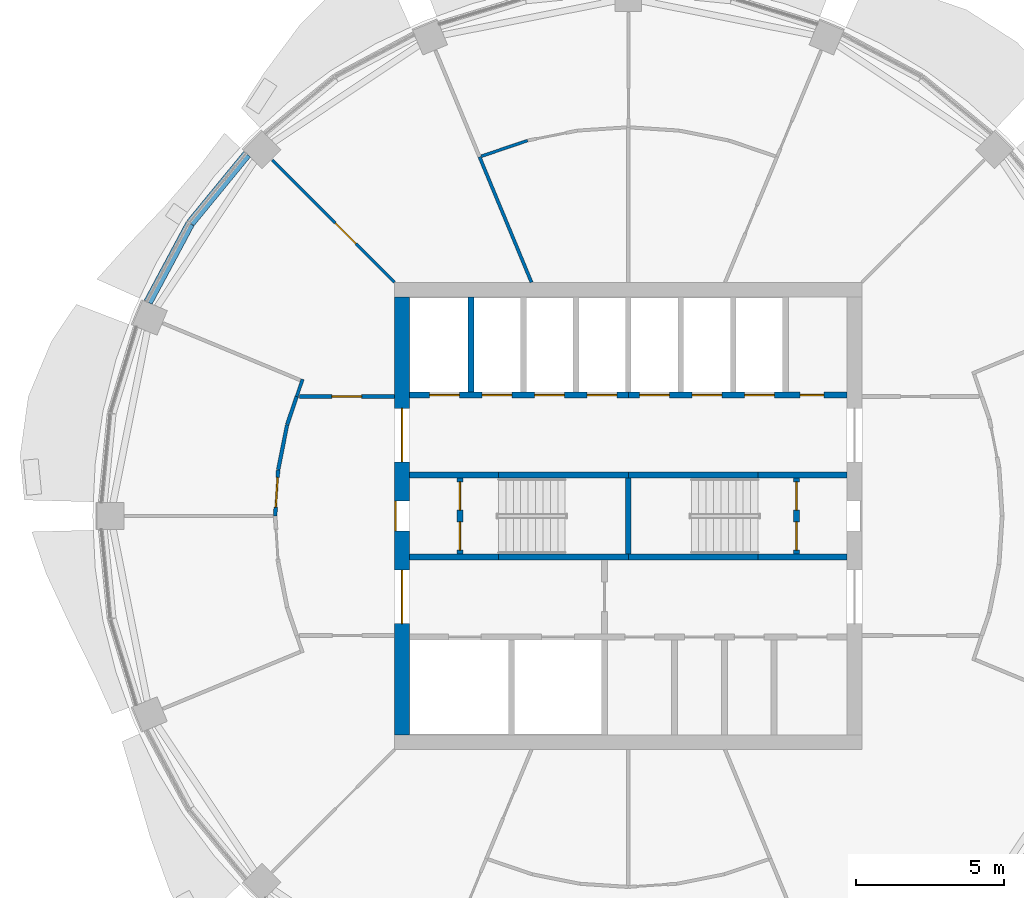
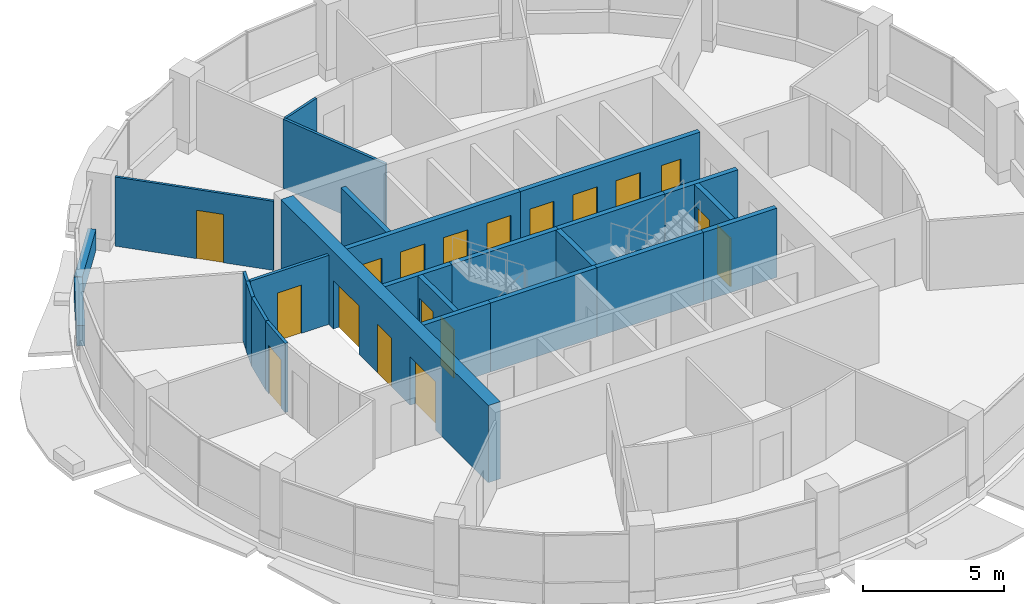
# One storey, part 9 of 15: 25 walls, 18 doors, 18 openings.
"""IFC4 building model written with IfcOpenShell, lengths in metres."""

from ifc_helpers import new_model, si_unit, direction, frame, frame_2d, origin, place, context, subcontext, project, spatial, rectangle, extrude, material, layer, layer_set, type_object, element, fill, save


model = new_model("IFC4")

# Units and contexts
model_context = context("Model", 3, precision=1e-05, world=origin(), true_north=direction((0.0, 1.0)))
body_context = subcontext(model_context, "Body", "Model", "MODEL_VIEW")
ifc_project = project(units=[si_unit("LENGTHUNIT", "METRE"), si_unit("AREAUNIT", "SQUARE_METRE"), si_unit("VOLUMEUNIT", "CUBIC_METRE"), si_unit("PLANEANGLEUNIT", "RADIAN"), si_unit("MASSUNIT", "GRAM", prefix="KILO")], contexts=[model_context])

# Site, building, storey
site_placement = place(None, origin())
site = spatial("IfcSite", under=ifc_project, at=site_placement, CompositionType="ELEMENT")
building_placement = place(site_placement, origin())
building = spatial("IfcBuilding", under=site, at=building_placement, Name="Polderwave Tower", CompositionType="ELEMENT")
storey_placement = place(building_placement, frame((0.0, 0.0, 187.64990234375)))
storey = spatial("IfcBuildingStorey", under=building, at=storey_placement, Name="L50", CompositionType="ELEMENT", Elevation=187.64990234375)

# Wall, openings, doors
ifc_material_1 = material(Name="Concrete C60/75", Category="concrete")
ifc_layer_1 = layer(ifc_material_1, 0.5)
ifc_layer_set_1 = layer_set([ifc_layer_1], Name="CORE WALL 500 C60/75")
wall_type_1 = type_object("IfcWallType", Name="CORE WALL 500 C60/75", PredefinedType="SHEAR", material=ifc_layer_set_1)
wall_1_placement = place(storey_placement, frame((-7.6240234375, -7.3740234375, 0.0), z_axis=(0.0, 0.0, 1.0), x_axis=(0.0, 1.0, 0.0)))
wall_1 = element("IfcWall", 1, at=wall_1_placement, inside=storey, type_object=wall_type_1, Name="ST-CORE-L50-W", PredefinedType="SHEAR", context=body_context, shape_type="SweptSolid", body=[
    extrude(rectangle(XDim=14.748046875, YDim=0.5, at=frame_2d((7.3740234375, 0.0))), origin(), (0.0, 0.0, 1.0), 3.35009765625),
])
opening_1_placement = place(wall_1_placement, frame((6.8740234375, 0.0, 0.0)))
opening_1 = element("IfcOpeningElement", 2, at=opening_1_placement, cuts=wall_1, Name="Opening L50-D20", PredefinedType="OPENING", context=body_context, shape_type="SweptSolid", body=[
    extrude(rectangle(XDim=1.0, YDim=2.10009765625, at=frame_2d((0.5, 1.050048828125))), frame((0.0, 0.260009765625, 0.0), z_axis=(0.0, -1.0, 0.0), x_axis=(1.0, 0.0, 0.0)), (0.0, 0.0, 1.0), 0.52001953125),
])
opening_2_placement = place(wall_1_placement, frame((3.74951171875, 0.0, 0.0)))
opening_2 = element("IfcOpeningElement", 3, at=opening_2_placement, cuts=wall_1, Name="Opening L50-D21", PredefinedType="OPENING", context=body_context, shape_type="SweptSolid", body=[
    extrude(rectangle(XDim=1.800048828125, YDim=2.10009765625, at=frame_2d((0.89990234375, 1.050048828125))), frame((0.0, 0.260009765625, 0.0), z_axis=(0.0, -1.0, 0.0), x_axis=(1.0, 0.0, 0.0)), (0.0, 0.0, 1.0), 0.52001953125),
])
opening_3_placement = place(wall_1_placement, frame((9.198486328125, 0.0, 0.0)))
opening_3 = element("IfcOpeningElement", 4, at=opening_3_placement, cuts=wall_1, Name="Opening L50-D22", PredefinedType="OPENING", context=body_context, shape_type="SweptSolid", body=[
    extrude(rectangle(XDim=1.800048828125, YDim=2.10009765625, at=frame_2d((0.89990234375, 1.050048828125))), frame((0.0, 0.260009765625, 0.0), z_axis=(0.0, -1.0, 0.0), x_axis=(1.0, 0.0, 0.0)), (0.0, 0.0, 1.0), 0.52001953125),
])
ifc_material_2 = material(Name="Steel fire door", Category="steel")
door_type_1 = type_object("IfcDoorType", Name="Lobby entry door pair 1800", OperationType="DOUBLE_DOOR_SINGLE_SWING", PredefinedType="DOOR", material=ifc_material_2)
door_1_placement = place(opening_2_placement, origin())
door_1 = element("IfcDoor", 5, at=door_1_placement, inside=storey, type_object=door_type_1, Name="Fire-fighting lobby entry door", OperationType="DOUBLE_DOOR_SINGLE_SWING", OverallHeight=2.10009765625, OverallWidth=1.800048828125, PredefinedType="DOOR", context=body_context, shape_type="SweptSolid", body=[
    extrude(rectangle(XDim=1.800048828125, YDim=2.10009765625, at=frame_2d((0.89990234375, 1.050048828125))), frame((0.0, 0.02490234375, 0.0), z_axis=(0.0, -1.0, 0.0), x_axis=(1.0, 0.0, 0.0)), (0.0, 0.0, 1.0), 0.050048828125),
])
fill(opening_2, door_1)
door_2_placement = place(opening_3_placement, origin())
door_2 = element("IfcDoor", 6, at=door_2_placement, inside=storey, type_object=door_type_1, Name="North lobby entry door", OperationType="DOUBLE_DOOR_SINGLE_SWING", OverallHeight=2.10009765625, OverallWidth=1.800048828125, PredefinedType="DOOR", context=body_context, shape_type="SweptSolid", body=[
    extrude(rectangle(XDim=1.800048828125, YDim=2.10009765625, at=frame_2d((0.89990234375, 1.050048828125))), frame((0.0, 0.02490234375, 0.0), z_axis=(0.0, -1.0, 0.0), x_axis=(1.0, 0.0, 0.0)), (0.0, 0.0, 1.0), 0.050048828125),
])
fill(opening_3, door_2)
door_type_2 = type_object("IfcDoorType", Name="Stair door 1000", OperationType="NOTDEFINED", PredefinedType="DOOR", material=ifc_material_2)
door_3_placement = place(opening_1_placement, origin())
door_3 = element("IfcDoor", 7, at=door_3_placement, inside=storey, type_object=door_type_2, Name="Stair A entry door", OperationType="SINGLE_SWING_RIGHT", OverallHeight=2.10009765625, OverallWidth=1.0, PredefinedType="DOOR", context=body_context, shape_type="SweptSolid", body=[
    extrude(rectangle(XDim=1.0, YDim=2.10009765625, at=frame_2d((0.5, 1.050048828125))), frame((0.0, 0.25, 0.0), z_axis=(0.0, -1.0, 0.0), x_axis=(1.0, 0.0, 0.0)), (0.0, 0.0, 1.0), 0.050048828125),
])
fill(opening_1, door_3)

# Walls
ifc_material_3 = material(Name="Concrete C50/60 (board-marked)", Category="concrete")
ifc_layer_2 = layer(ifc_material_3, 0.300048828125)
ifc_layer_set_2 = layer_set([ifc_layer_2], Name="Concrete spandrel upstand C50/60")
wall_type_2 = type_object("IfcWallType", Name="Concrete spandrel upstand C50/60", PredefinedType="SOLIDWALL", material=ifc_layer_set_2)
wall_2_placement = place(storey_placement, frame((-12.846435546875, 12.19140625, 0.0), z_axis=(0.0, 0.0, 1.0), x_axis=(-0.634208079217, -0.773162410012, 0.0)))
element("IfcWall", 8, at=wall_2_placement, inside=storey, type_object=wall_type_2, Name="Spandrel L50 7a", PredefinedType="SOLIDWALL", context=body_context, shape_type="SweptSolid", body=[
    extrude(rectangle(XDim=2.999267578125, YDim=0.300048828125, at=frame_2d((1.49951171875, 0.0))), origin(), (0.0, 0.0, 1.0), 0.900146484375),
])
wall_3_placement = place(storey_placement, frame((-14.76513671875, 9.847900390625, 0.0), z_axis=(0.0, 0.0, 1.0), x_axis=(-0.471572734074, -0.881827169278, 0.0)))
element("IfcWall", 9, at=wall_3_placement, inside=storey, type_object=wall_type_2, Name="Spandrel L50 7b", PredefinedType="SOLIDWALL", context=body_context, shape_type="SweptSolid", body=[
    extrude(rectangle(XDim=2.998046875, YDim=0.300048828125, at=frame_2d((1.4990234375, 0.0))), origin(), (0.0, 0.0, 1.0), 0.900146484375),
])

# Wall, openings, doors
ifc_material_4 = material(Name="Gypsum board partition")
ifc_layer_3 = layer(ifc_material_4, 0.199951171875)
ifc_layer_set_3 = layer_set([ifc_layer_3], Name="Core room partition 200")
wall_type_3 = type_object("IfcWallType", Name="Core room partition 200", PredefinedType="PARTITIONING", material=ifc_layer_set_3)
wall_4_placement = place(storey_placement, frame((-5.674072265625, -1.27490234375, 0.0), z_axis=(0.0, 0.0, 1.0), x_axis=(0.0, 1.0, 0.0)))
wall_4 = element("IfcWall", 10, at=wall_4_placement, inside=storey, type_object=wall_type_3, Name="L50 smoke lobby wall A", PredefinedType="PARTITIONING", context=body_context, shape_type="SweptSolid", body=[
    extrude(rectangle(XDim=2.5498046875, YDim=0.199951171875, at=frame_2d((1.27490234375, 0.0))), origin(), (0.0, 0.0, 1.0), 3.0),
])
opening_4_placement = place(wall_4_placement, frame((0.125, 0.0, 0.0)))
opening_4 = element("IfcOpeningElement", 11, at=opening_4_placement, cuts=wall_4, Name="Opening L50-D10", PredefinedType="OPENING", context=body_context, shape_type="SweptSolid", body=[
    extrude(rectangle(XDim=0.949951171875, YDim=2.10009765625, at=frame_2d((0.47509765625, 1.050048828125))), frame((0.0, 0.10986328125, 0.0), z_axis=(0.0, -1.0, 0.0), x_axis=(1.0, 0.0, 0.0)), (0.0, 0.0, 1.0), 0.219970703125),
])
opening_5_placement = place(wall_4_placement, frame((1.47509765625, 0.0, 0.0)))
opening_5 = element("IfcOpeningElement", 12, at=opening_5_placement, cuts=wall_4, Name="Opening L50-D11", PredefinedType="OPENING", context=body_context, shape_type="SweptSolid", body=[
    extrude(rectangle(XDim=0.949951171875, YDim=2.10009765625, at=frame_2d((0.47509765625, 1.050048828125))), frame((0.0, 0.10986328125, 0.0), z_axis=(0.0, -1.0, 0.0), x_axis=(1.0, 0.0, 0.0)), (0.0, 0.0, 1.0), 0.219970703125),
])
door_type_3 = type_object("IfcDoorType", Name="Smoke lobby door 950", OperationType="NOTDEFINED", PredefinedType="DOOR", material=ifc_material_2)
door_4_placement = place(opening_4_placement, origin())
door_4 = element("IfcDoor", 13, at=door_4_placement, inside=storey, type_object=door_type_3, Name="Stair A smoke lobby inner door", OperationType="SINGLE_SWING_LEFT", OverallHeight=2.10009765625, OverallWidth=0.949951171875, PredefinedType="DOOR", context=body_context, shape_type="SweptSolid", body=[
    extrude(rectangle(XDim=0.949951171875, YDim=2.10009765625, at=frame_2d((0.47509765625, 1.050048828125))), frame((0.0, 0.02490234375, 0.0), z_axis=(0.0, -1.0, 0.0), x_axis=(1.0, 0.0, 0.0)), (0.0, 0.0, 1.0), 0.050048828125),
])
fill(opening_4, door_4)
door_5_placement = place(opening_5_placement, origin())
door_5 = element("IfcDoor", 14, at=door_5_placement, inside=storey, type_object=door_type_3, Name="Stair A smoke lobby inner door", OperationType="SINGLE_SWING_RIGHT", OverallHeight=2.10009765625, OverallWidth=0.949951171875, PredefinedType="DOOR", context=body_context, shape_type="SweptSolid", body=[
    extrude(rectangle(XDim=0.949951171875, YDim=2.10009765625, at=frame_2d((0.47509765625, 1.050048828125))), frame((0.0, 0.02490234375, 0.0), z_axis=(0.0, -1.0, 0.0), x_axis=(1.0, 0.0, 0.0)), (0.0, 0.0, 1.0), 0.050048828125),
])
fill(opening_5, door_5)

wall_5_placement = place(storey_placement, frame((5.674072265625, -1.27490234375, 0.0), z_axis=(0.0, 0.0, 1.0), x_axis=(0.0, 1.0, 0.0)))
wall_5 = element("IfcWall", 15, at=wall_5_placement, inside=storey, type_object=wall_type_3, Name="L50 smoke lobby wall B", PredefinedType="PARTITIONING", context=body_context, shape_type="SweptSolid", body=[
    extrude(rectangle(XDim=2.5498046875, YDim=0.199951171875, at=frame_2d((1.27490234375, 0.0))), origin(), (0.0, 0.0, 1.0), 3.0),
])
opening_6_placement = place(wall_5_placement, frame((0.125, 0.0, 0.0)))
opening_6 = element("IfcOpeningElement", 16, at=opening_6_placement, cuts=wall_5, Name="Opening L50-D12", PredefinedType="OPENING", context=body_context, shape_type="SweptSolid", body=[
    extrude(rectangle(XDim=0.949951171875, YDim=2.10009765625, at=frame_2d((0.47509765625, 1.050048828125))), frame((0.0, 0.10986328125, 0.0), z_axis=(0.0, -1.0, 0.0), x_axis=(1.0, 0.0, 0.0)), (0.0, 0.0, 1.0), 0.219970703125),
])
opening_7_placement = place(wall_5_placement, frame((1.47509765625, 0.0, 0.0)))
opening_7 = element("IfcOpeningElement", 17, at=opening_7_placement, cuts=wall_5, Name="Opening L50-D13", PredefinedType="OPENING", context=body_context, shape_type="SweptSolid", body=[
    extrude(rectangle(XDim=0.949951171875, YDim=2.10009765625, at=frame_2d((0.47509765625, 1.050048828125))), frame((0.0, 0.10986328125, 0.0), z_axis=(0.0, -1.0, 0.0), x_axis=(1.0, 0.0, 0.0)), (0.0, 0.0, 1.0), 0.219970703125),
])
door_6_placement = place(opening_6_placement, frame((0.949951171875, 0.0, 0.0), z_axis=(0.0, 0.0, 1.0), x_axis=(-1.0, 0.0, 0.0)))
door_6 = element("IfcDoor", 18, at=door_6_placement, inside=storey, type_object=door_type_3, Name="Stair B smoke lobby inner door", OperationType="SINGLE_SWING_RIGHT", OverallHeight=2.10009765625, OverallWidth=0.949951171875, PredefinedType="DOOR", context=body_context, shape_type="SweptSolid", body=[
    extrude(rectangle(XDim=0.949951171875, YDim=2.10009765625, at=frame_2d((0.47509765625, 1.050048828125))), frame((0.0, 0.02490234375, 0.0), z_axis=(0.0, -1.0, 0.0), x_axis=(1.0, 0.0, 0.0)), (0.0, 0.0, 1.0), 0.050048828125),
])
fill(opening_6, door_6)
door_7_placement = place(opening_7_placement, frame((0.949951171875, 0.0, 0.0), z_axis=(0.0, 0.0, 1.0), x_axis=(-1.0, 0.0, 0.0)))
door_7 = element("IfcDoor", 19, at=door_7_placement, inside=storey, type_object=door_type_3, Name="Stair B smoke lobby inner door", OperationType="SINGLE_SWING_LEFT", OverallHeight=2.10009765625, OverallWidth=0.949951171875, PredefinedType="DOOR", context=body_context, shape_type="SweptSolid", body=[
    extrude(rectangle(XDim=0.949951171875, YDim=2.10009765625, at=frame_2d((0.47509765625, 1.050048828125))), frame((0.0, 0.02490234375, 0.0), z_axis=(0.0, -1.0, 0.0), x_axis=(1.0, 0.0, 0.0)), (0.0, 0.0, 1.0), 0.050048828125),
])
fill(opening_7, door_7)

ifc_material_5 = material(Name="Concrete C50/60", Category="concrete")
ifc_layer_4 = layer(ifc_material_5, 0.199951171875)
ifc_layer_set_4 = layer_set([ifc_layer_4], Name="Core web wall 200")
wall_type_4 = type_object("IfcWallType", Name="Core web wall 200", PredefinedType="SHEAR", material=ifc_layer_set_4)
wall_6_placement = place(storey_placement, frame((-7.3740234375, 4.073974609375, 0.0), z_axis=(0.0, 0.0, 1.0), x_axis=(1.0, 0.0, 0.0)))
wall_6 = element("IfcWall", 20, at=wall_6_placement, inside=storey, type_object=wall_type_4, Name="L50 north front wall 1", PredefinedType="SHEAR", context=body_context, shape_type="SweptSolid", body=[
    extrude(rectangle(XDim=7.3740234375, YDim=0.199951171875, at=frame_2d((3.68701171875, 0.0))), origin(), (0.0, 0.0, 1.0), 3.0),
])
opening_8_placement = place(wall_6_placement, frame((0.68408203125, 0.0, 0.0)))
opening_8 = element("IfcOpeningElement", 21, at=opening_8_placement, cuts=wall_6, Name="Opening L50-D03", PredefinedType="OPENING", context=body_context, shape_type="SweptSolid", body=[
    extrude(rectangle(XDim=1.0, YDim=2.10009765625, at=frame_2d((0.5, 1.050048828125))), frame((0.0, 0.10986328125, 0.0), z_axis=(0.0, -1.0, 0.0), x_axis=(1.0, 0.0, 0.0)), (0.0, 0.0, 1.0), 0.219970703125),
])
opening_9_placement = place(wall_6_placement, frame((2.45263671875, 0.0, 0.0)))
opening_9 = element("IfcOpeningElement", 22, at=opening_9_placement, cuts=wall_6, Name="Opening L50-D04", PredefinedType="OPENING", context=body_context, shape_type="SweptSolid", body=[
    extrude(rectangle(XDim=1.0, YDim=2.10009765625, at=frame_2d((0.5, 1.050048828125))), frame((0.0, 0.10986328125, 0.0), z_axis=(0.0, -1.0, 0.0), x_axis=(1.0, 0.0, 0.0)), (0.0, 0.0, 1.0), 0.219970703125),
])
opening_10_placement = place(wall_6_placement, frame((4.22119140625, 0.0, 0.0)))
opening_10 = element("IfcOpeningElement", 23, at=opening_10_placement, cuts=wall_6, Name="Opening L50-D05", PredefinedType="OPENING", context=body_context, shape_type="SweptSolid", body=[
    extrude(rectangle(XDim=1.0, YDim=2.10009765625, at=frame_2d((0.5, 1.050048828125))), frame((0.0, 0.10986328125, 0.0), z_axis=(0.0, -1.0, 0.0), x_axis=(1.0, 0.0, 0.0)), (0.0, 0.0, 1.0), 0.219970703125),
])
opening_11_placement = place(wall_6_placement, frame((5.98974609375, 0.0, 0.0)))
opening_11 = element("IfcOpeningElement", 24, at=opening_11_placement, cuts=wall_6, Name="Opening L50-D06", PredefinedType="OPENING", context=body_context, shape_type="SweptSolid", body=[
    extrude(rectangle(XDim=1.0, YDim=2.10009765625, at=frame_2d((0.5, 1.050048828125))), frame((0.0, 0.10986328125, 0.0), z_axis=(0.0, -1.0, 0.0), x_axis=(1.0, 0.0, 0.0)), (0.0, 0.0, 1.0), 0.219970703125),
])
ifc_material_6 = material(Name="Stainless steel", Category="steel")
door_type_4 = type_object("IfcDoorType", Name="Lift landing door 1000", OperationType="DOUBLE_DOOR_SLIDING", PredefinedType="DOOR", material=ifc_material_6)
door_8_placement = place(opening_8_placement, frame((1.0, 0.0, 0.0), z_axis=(0.0, 0.0, 1.0), x_axis=(-1.0, 0.0, 0.0)))
door_8 = element("IfcDoor", 25, at=door_8_placement, inside=storey, type_object=door_type_4, Name="Lift HL1 landing door", OperationType="DOUBLE_DOOR_SLIDING", OverallHeight=2.10009765625, OverallWidth=1.0, PredefinedType="DOOR", context=body_context, shape_type="SweptSolid", body=[
    extrude(rectangle(XDim=1.0, YDim=2.10009765625, at=frame_2d((0.5, 1.050048828125))), frame((0.0, 0.02490234375, 0.0), z_axis=(0.0, -1.0, 0.0), x_axis=(1.0, 0.0, 0.0)), (0.0, 0.0, 1.0), 0.050048828125),
])
fill(opening_8, door_8)
door_9_placement = place(opening_9_placement, frame((1.0, 0.0, 0.0), z_axis=(0.0, 0.0, 1.0), x_axis=(-1.0, 0.0, 0.0)))
door_9 = element("IfcDoor", 26, at=door_9_placement, inside=storey, type_object=door_type_4, Name="Lift HL2 landing door", OperationType="DOUBLE_DOOR_SLIDING", OverallHeight=2.10009765625, OverallWidth=1.0, PredefinedType="DOOR", context=body_context, shape_type="SweptSolid", body=[
    extrude(rectangle(XDim=1.0, YDim=2.10009765625, at=frame_2d((0.5, 1.050048828125))), frame((0.0, 0.02490234375, 0.0), z_axis=(0.0, -1.0, 0.0), x_axis=(1.0, 0.0, 0.0)), (0.0, 0.0, 1.0), 0.050048828125),
])
fill(opening_9, door_9)
door_10_placement = place(opening_10_placement, frame((1.0, 0.0, 0.0), z_axis=(0.0, 0.0, 1.0), x_axis=(-1.0, 0.0, 0.0)))
door_10 = element("IfcDoor", 27, at=door_10_placement, inside=storey, type_object=door_type_4, Name="Lift HL3 landing door", OperationType="DOUBLE_DOOR_SLIDING", OverallHeight=2.10009765625, OverallWidth=1.0, PredefinedType="DOOR", context=body_context, shape_type="SweptSolid", body=[
    extrude(rectangle(XDim=1.0, YDim=2.10009765625, at=frame_2d((0.5, 1.050048828125))), frame((0.0, 0.02490234375, 0.0), z_axis=(0.0, -1.0, 0.0), x_axis=(1.0, 0.0, 0.0)), (0.0, 0.0, 1.0), 0.050048828125),
])
fill(opening_10, door_10)
door_11_placement = place(opening_11_placement, frame((1.0, 0.0, 0.0), z_axis=(0.0, 0.0, 1.0), x_axis=(-1.0, 0.0, 0.0)))
door_11 = element("IfcDoor", 28, at=door_11_placement, inside=storey, type_object=door_type_4, Name="Lift HL4 landing door", OperationType="DOUBLE_DOOR_SLIDING", OverallHeight=2.10009765625, OverallWidth=1.0, PredefinedType="DOOR", context=body_context, shape_type="SweptSolid", body=[
    extrude(rectangle(XDim=1.0, YDim=2.10009765625, at=frame_2d((0.5, 1.050048828125))), frame((0.0, 0.02490234375, 0.0), z_axis=(0.0, -1.0, 0.0), x_axis=(1.0, 0.0, 0.0)), (0.0, 0.0, 1.0), 0.050048828125),
])
fill(opening_11, door_11)

wall_7_placement = place(storey_placement, frame((0.0, 4.073974609375, 0.0), z_axis=(0.0, 0.0, 1.0), x_axis=(1.0, 0.0, 0.0)))
wall_7 = element("IfcWall", 29, at=wall_7_placement, inside=storey, type_object=wall_type_4, Name="L50 north front wall 2", PredefinedType="SHEAR", context=body_context, shape_type="SweptSolid", body=[
    extrude(rectangle(XDim=7.3740234375, YDim=0.199951171875, at=frame_2d((3.68701171875, 0.0))), origin(), (0.0, 0.0, 1.0), 3.0),
])
opening_12_placement = place(wall_7_placement, frame((0.38427734375, 0.0, 0.0)))
opening_12 = element("IfcOpeningElement", 30, at=opening_12_placement, cuts=wall_7, Name="Opening L50-D07", PredefinedType="OPENING", context=body_context, shape_type="SweptSolid", body=[
    extrude(rectangle(XDim=1.0, YDim=2.10009765625, at=frame_2d((0.5, 1.050048828125))), frame((0.0, 0.10986328125, 0.0), z_axis=(0.0, -1.0, 0.0), x_axis=(1.0, 0.0, 0.0)), (0.0, 0.0, 1.0), 0.219970703125),
])
opening_13_placement = place(wall_7_placement, frame((2.15283203125, 0.0, 0.0)))
opening_13 = element("IfcOpeningElement", 31, at=opening_13_placement, cuts=wall_7, Name="Opening L50-D08", PredefinedType="OPENING", context=body_context, shape_type="SweptSolid", body=[
    extrude(rectangle(XDim=1.0, YDim=2.10009765625, at=frame_2d((0.5, 1.050048828125))), frame((0.0, 0.10986328125, 0.0), z_axis=(0.0, -1.0, 0.0), x_axis=(1.0, 0.0, 0.0)), (0.0, 0.0, 1.0), 0.219970703125),
])
opening_14_placement = place(wall_7_placement, frame((3.921142578125, 0.0, 0.0)))
opening_14 = element("IfcOpeningElement", 32, at=opening_14_placement, cuts=wall_7, Name="Opening L50-D09", PredefinedType="OPENING", context=body_context, shape_type="SweptSolid", body=[
    extrude(rectangle(XDim=1.0, YDim=2.10009765625, at=frame_2d((0.5, 1.050048828125))), frame((0.0, 0.10986328125, 0.0), z_axis=(0.0, -1.0, 0.0), x_axis=(1.0, 0.0, 0.0)), (0.0, 0.0, 1.0), 0.219970703125),
])
opening_15_placement = place(wall_7_placement, frame((5.789794921875, 0.0, 0.0)))
opening_15 = element("IfcOpeningElement", 33, at=opening_15_placement, cuts=wall_7, Name="Opening L50-D19", PredefinedType="OPENING", context=body_context, shape_type="SweptSolid", body=[
    extrude(rectangle(XDim=0.800048828125, YDim=2.10009765625, at=frame_2d((0.39990234375, 1.050048828125))), frame((0.0, 0.10986328125, 0.0), z_axis=(0.0, -1.0, 0.0), x_axis=(1.0, 0.0, 0.0)), (0.0, 0.0, 1.0), 0.219970703125),
])
door_12_placement = place(opening_12_placement, frame((1.0, 0.0, 0.0), z_axis=(0.0, 0.0, 1.0), x_axis=(-1.0, 0.0, 0.0)))
door_12 = element("IfcDoor", 34, at=door_12_placement, inside=storey, type_object=door_type_4, Name="Lift HL5 landing door", OperationType="DOUBLE_DOOR_SLIDING", OverallHeight=2.10009765625, OverallWidth=1.0, PredefinedType="DOOR", context=body_context, shape_type="SweptSolid", body=[
    extrude(rectangle(XDim=1.0, YDim=2.10009765625, at=frame_2d((0.5, 1.050048828125))), frame((0.0, 0.02490234375, 0.0), z_axis=(0.0, -1.0, 0.0), x_axis=(1.0, 0.0, 0.0)), (0.0, 0.0, 1.0), 0.050048828125),
])
fill(opening_12, door_12)
door_13_placement = place(opening_13_placement, frame((1.0, 0.0, 0.0), z_axis=(0.0, 0.0, 1.0), x_axis=(-1.0, 0.0, 0.0)))
door_13 = element("IfcDoor", 35, at=door_13_placement, inside=storey, type_object=door_type_4, Name="Lift HL6 landing door", OperationType="DOUBLE_DOOR_SLIDING", OverallHeight=2.10009765625, OverallWidth=1.0, PredefinedType="DOOR", context=body_context, shape_type="SweptSolid", body=[
    extrude(rectangle(XDim=1.0, YDim=2.10009765625, at=frame_2d((0.5, 1.050048828125))), frame((0.0, 0.02490234375, 0.0), z_axis=(0.0, -1.0, 0.0), x_axis=(1.0, 0.0, 0.0)), (0.0, 0.0, 1.0), 0.050048828125),
])
fill(opening_13, door_13)
door_14_placement = place(opening_14_placement, frame((1.0, 0.0, 0.0), z_axis=(0.0, 0.0, 1.0), x_axis=(-1.0, 0.0, 0.0)))
door_14 = element("IfcDoor", 36, at=door_14_placement, inside=storey, type_object=door_type_4, Name="Lift HL7 landing door", OperationType="DOUBLE_DOOR_SLIDING", OverallHeight=2.10009765625, OverallWidth=1.0, PredefinedType="DOOR", context=body_context, shape_type="SweptSolid", body=[
    extrude(rectangle(XDim=1.0, YDim=2.10009765625, at=frame_2d((0.5, 1.050048828125))), frame((0.0, 0.02490234375, 0.0), z_axis=(0.0, -1.0, 0.0), x_axis=(1.0, 0.0, 0.0)), (0.0, 0.0, 1.0), 0.050048828125),
])
fill(opening_14, door_14)
door_type_5 = type_object("IfcDoorType", Name="Riser door 800", OperationType="NOTDEFINED", PredefinedType="DOOR", material=ifc_material_2)
door_15_placement = place(opening_15_placement, frame((0.800048828125, 0.0, 0.0), z_axis=(0.0, 0.0, 1.0), x_axis=(-1.0, 0.0, 0.0)))
door_15 = element("IfcDoor", 37, at=door_15_placement, inside=storey, type_object=door_type_5, Name="Riser door", OperationType="SINGLE_SWING_LEFT", OverallHeight=2.10009765625, OverallWidth=0.800048828125, PredefinedType="DOOR", context=body_context, shape_type="SweptSolid", body=[
    extrude(rectangle(XDim=0.800048828125, YDim=2.10009765625, at=frame_2d((0.39990234375, 1.050048828125))), frame((0.0, 0.02490234375, 0.0), z_axis=(0.0, -1.0, 0.0), x_axis=(1.0, 0.0, 0.0)), (0.0, 0.0, 1.0), 0.050048828125),
])
fill(opening_15, door_15)

# Walls
wall_8_placement = place(storey_placement, frame((-7.3740234375, -1.375, 0.0), z_axis=(0.0, 0.0, 1.0), x_axis=(1.0, 0.0, 0.0)))
element("IfcWall", 38, at=wall_8_placement, inside=storey, type_object=wall_type_4, Name="L50 south stair wall 1", PredefinedType="SHEAR", context=body_context, shape_type="SweptSolid", body=[
    extrude(rectangle(XDim=3.0, YDim=0.199951171875, at=frame_2d((1.5, 0.0))), origin(), (0.0, 0.0, 1.0), 3.0),
])
for number, where, z_axis, x_axis, name in (
    (39, (-4.3740234375, -1.375, 0.0), (0.0, 0.0, 1.0), (1.0, 0.0, 0.0), "L50 south stair wall 2"),
    (40, (0.0, -1.375, 0.0), (0.0, 0.0, 1.0), (1.0, 0.0, 0.0), "L50 south stair wall 3"),
):
    element("IfcWall", number, at=place(storey_placement, frame(where, z_axis=z_axis, x_axis=x_axis)), inside=storey, type_object=wall_type_4, Name=name, PredefinedType="SHEAR", context=body_context, shape_type="SweptSolid", body=[
        extrude(rectangle(XDim=4.3740234375, YDim=0.199951171875, at=frame_2d((2.18701171875, 0.0))), origin(), (0.0, 0.0, 1.0), 3.0),
    ])
for number, where, z_axis, x_axis, name in (
    (41, (4.3740234375, -1.375, 0.0), (0.0, 0.0, 1.0), (1.0, 0.0, 0.0), "L50 south stair wall 4"),
    (42, (-7.3740234375, 1.375, 0.0), (0.0, 0.0, 1.0), (1.0, 0.0, 0.0), "L50 north stair wall 1"),
):
    element("IfcWall", number, at=place(storey_placement, frame(where, z_axis=z_axis, x_axis=x_axis)), inside=storey, type_object=wall_type_4, Name=name, PredefinedType="SHEAR", context=body_context, shape_type="SweptSolid", body=[
        extrude(rectangle(XDim=3.0, YDim=0.199951171875, at=frame_2d((1.5, 0.0))), origin(), (0.0, 0.0, 1.0), 3.0),
    ])
for number, where, z_axis, x_axis, name in (
    (43, (-4.3740234375, 1.375, 0.0), (0.0, 0.0, 1.0), (1.0, 0.0, 0.0), "L50 north stair wall 2"),
    (44, (0.0, 1.375, 0.0), (0.0, 0.0, 1.0), (1.0, 0.0, 0.0), "L50 north stair wall 3"),
):
    element("IfcWall", number, at=place(storey_placement, frame(where, z_axis=z_axis, x_axis=x_axis)), inside=storey, type_object=wall_type_4, Name=name, PredefinedType="SHEAR", context=body_context, shape_type="SweptSolid", body=[
        extrude(rectangle(XDim=4.3740234375, YDim=0.199951171875, at=frame_2d((2.18701171875, 0.0))), origin(), (0.0, 0.0, 1.0), 3.0),
    ])
wall_9_placement = place(storey_placement, frame((4.3740234375, 1.375, 0.0), z_axis=(0.0, 0.0, 1.0), x_axis=(1.0, 0.0, 0.0)))
element("IfcWall", 45, at=wall_9_placement, inside=storey, type_object=wall_type_4, Name="L50 north stair wall 4", PredefinedType="SHEAR", context=body_context, shape_type="SweptSolid", body=[
    extrude(rectangle(XDim=3.0, YDim=0.199951171875, at=frame_2d((1.5, 0.0))), origin(), (0.0, 0.0, 1.0), 3.0),
])
wall_10_placement = place(storey_placement, frame((0.0, -1.27490234375, 0.0), z_axis=(0.0, 0.0, 1.0), x_axis=(0.0, 1.0, 0.0)))
element("IfcWall", 46, at=wall_10_placement, inside=storey, type_object=wall_type_4, Name="L50 wall between the stairs", PredefinedType="SHEAR", context=body_context, shape_type="SweptSolid", body=[
    extrude(rectangle(XDim=2.5498046875, YDim=0.199951171875, at=frame_2d((1.27490234375, 0.0))), origin(), (0.0, 0.0, 1.0), 3.0),
])

# Wall, opening, door
ifc_material_7 = material(Name="Fire-resisting board on steel studs", Category="steel")
ifc_layer_5 = layer(ifc_material_7, 0.125)
ifc_layer_set_5 = layer_set([ifc_layer_5], Name="Corridor wall 125 mm EI 60")
wall_type_5 = type_object("IfcWallType", Name="Corridor wall 125 mm EI 60", PredefinedType="PARTITIONING", material=ifc_layer_set_5)
wall_11_placement = place(storey_placement, frame((-11.086669921875, 4.0244140625, 0.0), z_axis=(0.0, 0.0, 1.0), x_axis=(1.0, 0.0, 0.0)))
wall_11 = element("IfcWall", 47, at=wall_11_placement, inside=storey, type_object=wall_type_5, Name="IN-L50-W009", PredefinedType="PARTITIONING", context=body_context, shape_type="SweptSolid", body=[
    extrude(rectangle(XDim=3.212646484375, YDim=0.125, at=frame_2d((1.6064453125, 0.0))), origin(), (0.0, 0.0, 1.0), 3.0),
])
opening_16_placement = place(wall_11_placement, frame((1.10009765625, 0.0, 0.0)))
opening_16 = element("IfcOpeningElement", 48, at=opening_16_placement, cuts=wall_11, Name="Opening L50-D53", PredefinedType="OPENING", context=body_context, shape_type="SweptSolid", body=[
    extrude(rectangle(XDim=1.0, YDim=2.10009765625, at=frame_2d((0.5, 1.050048828125))), frame((0.0, 0.072509765625, 0.0), z_axis=(0.0, -1.0, 0.0), x_axis=(1.0, 0.0, 0.0)), (0.0, 0.0, 1.0), 0.14501953125),
])
ifc_material_8 = material(Name="Timber fire door leaf", Category="wood")
door_type_6 = type_object("IfcDoorType", Name="Fire door FD30S 1000 x 2100", OperationType="NOTDEFINED", PredefinedType="DOOR", material=ifc_material_8)
door_16_placement = place(opening_16_placement, origin())
door_16 = element("IfcDoor", 49, at=door_16_placement, inside=storey, type_object=door_type_6, Name="Door L50-D53", OperationType="SINGLE_SWING_LEFT", OverallHeight=2.10009765625, OverallWidth=1.0, PredefinedType="DOOR", context=body_context, shape_type="SweptSolid", body=[
    extrude(rectangle(XDim=1.0, YDim=2.10009765625, at=frame_2d((0.5, 1.050048828125))), frame((0.0, 0.02490234375, 0.0), z_axis=(0.0, -1.0, 0.0), x_axis=(1.0, 0.0, 0.0)), (0.0, 0.0, 1.0), 0.050048828125),
])
fill(opening_16, door_16)

wall_12_placement = place(storey_placement, frame((-11.89990234375, 0.0, 0.0), z_axis=(0.0, 0.0, 1.0), x_axis=(0.065256137235, 0.99786854673, 0.0)))
wall_12 = element("IfcWall", 50, at=wall_12_placement, inside=storey, type_object=wall_type_5, Name="IN-L50-W010", PredefinedType="PARTITIONING", context=body_context, shape_type="SweptSolid", body=[
    extrude(rectangle(XDim=1.552734375, YDim=0.125, at=frame_2d((0.7763671875, 0.0))), origin(), (0.0, 0.0, 1.0), 3.0),
])
opening_17_placement = place(wall_12_placement, frame((0.300048828125, 0.0, 0.0)))
opening_17 = element("IfcOpeningElement", 51, at=opening_17_placement, cuts=wall_12, Name="Opening L50-D54", PredefinedType="OPENING", context=body_context, shape_type="SweptSolid", body=[
    extrude(rectangle(XDim=1.0, YDim=2.10009765625, at=frame_2d((0.5, 1.050048828125))), frame((0.0, 0.072509765625, 0.0), z_axis=(0.0, -1.0, 0.0), x_axis=(1.0, 0.0, 0.0)), (0.0, 0.0, 1.0), 0.14501953125),
])
door_17_placement = place(opening_17_placement, origin())
door_17 = element("IfcDoor", 52, at=door_17_placement, inside=storey, type_object=door_type_6, Name="Door L50-D54", OperationType="SINGLE_SWING_RIGHT", OverallHeight=2.10009765625, OverallWidth=1.0, PredefinedType="DOOR", context=body_context, shape_type="SweptSolid", body=[
    extrude(rectangle(XDim=1.0, YDim=2.10009765625, at=frame_2d((0.5, 1.050048828125))), frame((0.0, 0.02490234375, 0.0), z_axis=(0.0, -1.0, 0.0), x_axis=(1.0, 0.0, 0.0)), (0.0, 0.0, 1.0), 0.050048828125),
])
fill(opening_17, door_17)

# Walls
wall_13_placement = place(storey_placement, frame((-11.79736328125, 1.557373046875, 0.0), z_axis=(0.0, 0.0, 1.0), x_axis=(0.195054687935, 0.98079236779, 0.0)))
element("IfcWall", 53, at=wall_13_placement, inside=storey, type_object=wall_type_5, Name="IN-L50-W011", PredefinedType="PARTITIONING", context=body_context, shape_type="SweptSolid", body=[
    extrude(rectangle(XDim=1.54833984375, YDim=0.125, at=frame_2d((0.774169921875, 0.0))), origin(), (0.0, 0.0, 1.0), 3.0),
])
wall_14_placement = place(storey_placement, frame((-11.4931640625, 3.083740234375, 0.0), z_axis=(0.0, 0.0, 1.0), x_axis=(0.321457698768, 0.946923939872, 0.0)))
element("IfcWall", 54, at=wall_14_placement, inside=storey, type_object=wall_type_5, Name="IN-L50-W012", PredefinedType="PARTITIONING", context=body_context, shape_type="SweptSolid", body=[
    extrude(rectangle(XDim=0.993408203125, YDim=0.125, at=frame_2d((0.49658203125, 0.0))), origin(), (0.0, 0.0, 1.0), 3.0),
])
ifc_material_9 = material(Name="Plasterboard on steel studs", Category="steel")
ifc_layer_6 = layer(ifc_material_9, 0.10009765625)
ifc_layer_set_6 = layer_set([ifc_layer_6], Name="Partition 100 mm plasterboard on steel studs")
wall_type_6 = type_object("IfcWallType", Name="Partition 100 mm plasterboard on steel studs", PredefinedType="PARTITIONING", material=ifc_layer_set_6)
wall_15_placement = place(storey_placement, frame((-4.9580078125, 12.12158203125, 0.0), z_axis=(0.0, 0.0, 1.0), x_axis=(0.94694015461, 0.321409930755, 0.0)))
element("IfcWall", 55, at=wall_15_placement, inside=storey, type_object=wall_type_6, Name="IN-L50-W029", PredefinedType="PARTITIONING", context=body_context, shape_type="SweptSolid", body=[
    extrude(rectangle(XDim=1.652099609375, YDim=0.10009765625, at=frame_2d((0.826171875, 0.0))), origin(), (0.0, 0.0, 1.0), 3.0),
])

# Wall, opening, door
wall_16_placement = place(storey_placement, frame((-11.99951171875, 11.99951171875, 0.0), z_axis=(0.0, 0.0, 1.0), x_axis=(0.707106781187, -0.707106781187, 0.0)))
wall_16 = element("IfcWall", 56, at=wall_16_placement, inside=storey, type_object=wall_type_6, Name="IN-L50-W034", PredefinedType="PARTITIONING", context=body_context, shape_type="SweptSolid", body=[
    extrude(rectangle(XDim=5.834228515625, YDim=0.10009765625, at=frame_2d((2.9169921875, 0.0))), origin(), (0.0, 0.0, 1.0), 3.0),
])
opening_18_placement = place(wall_16_placement, frame((3.0, 0.0, 0.0)))
opening_18 = element("IfcOpeningElement", 57, at=opening_18_placement, cuts=wall_16, Name="Opening L50-D62", PredefinedType="OPENING", context=body_context, shape_type="SweptSolid", body=[
    extrude(rectangle(XDim=1.0, YDim=2.10009765625, at=frame_2d((0.5, 1.050048828125))), frame((0.0, 0.06005859375, 0.0), z_axis=(0.0, -1.0, 0.0), x_axis=(1.0, 0.0, 0.0)), (0.0, 0.0, 1.0), 0.1201171875),
])
ifc_material_10 = material(Name="Timber veneer door leaf", Category="wood")
door_type_7 = type_object("IfcDoorType", Name="Single door 1000 x 2100", OperationType="NOTDEFINED", PredefinedType="DOOR", material=ifc_material_10)
door_18_placement = place(opening_18_placement, origin())
door_18 = element("IfcDoor", 58, at=door_18_placement, inside=storey, type_object=door_type_7, Name="Door L50-D62", OperationType="SINGLE_SWING_RIGHT", OverallHeight=2.10009765625, OverallWidth=1.0, PredefinedType="DOOR", context=body_context, shape_type="SweptSolid", body=[
    extrude(rectangle(XDim=1.0, YDim=2.10009765625, at=frame_2d((0.5, 1.050048828125))), frame((0.0, 0.02490234375, 0.0), z_axis=(0.0, -1.0, 0.0), x_axis=(1.0, 0.0, 0.0)), (0.0, 0.0, 1.0), 0.050048828125),
])
fill(opening_18, door_18)

# Walls
ifc_material_11 = material(Name="Acoustic double plasterboard on steel studs", Category="steel")
ifc_layer_7 = layer(ifc_material_11, 0.110107421875)
ifc_layer_set_7 = layer_set([ifc_layer_7], Name="Partition 110 mm acoustic double board")
wall_type_7 = type_object("IfcWallType", Name="Partition 110 mm acoustic double board", PredefinedType="PARTITIONING", material=ifc_layer_set_7)
wall_17_placement = place(storey_placement, frame((-3.261474609375, 7.8740234375, 0.0), z_axis=(0.0, 0.0, 1.0), x_axis=(-0.382701956612, 0.923871859299, 0.0)))
element("IfcWall", 59, at=wall_17_placement, inside=storey, type_object=wall_type_7, Name="IN-L50-W032", PredefinedType="PARTITIONING", context=body_context, shape_type="SweptSolid", body=[
    extrude(rectangle(XDim=4.5771484375, YDim=0.110107421875, at=frame_2d((2.28857421875, 0.0))), origin(), (0.0, 0.0, 1.0), 3.0),
])
wall_18_placement = place(storey_placement, frame((-11.173828125, 4.0244140625, 0.0), z_axis=(0.0, 0.0, 1.0), x_axis=(0.321232679022, 0.947000298801, 0.0)))
element("IfcWall", 60, at=wall_18_placement, inside=storey, type_object=wall_type_7, Name="IN-L50-W035", PredefinedType="PARTITIONING", context=body_context, shape_type="SweptSolid", body=[
    extrude(rectangle(XDim=0.614013671875, YDim=0.110107421875, at=frame_2d((0.30712890625, 0.0))), origin(), (0.0, 0.0, 1.0), 3.0),
])
ifc_material_12 = material(Name="Gypsum shaft wall system")
ifc_layer_8 = layer(ifc_material_12, 0.199951171875)
ifc_layer_set_8 = layer_set([ifc_layer_8], Name="Shaft wall 200")
wall_type_8 = type_object("IfcWallType", Name="Shaft wall 200", PredefinedType="PARTITIONING", material=ifc_layer_set_8)
wall_19_placement = place(storey_placement, frame((-5.305419921875, 4.174072265625, 0.0), z_axis=(0.0, 0.0, 1.0), x_axis=(0.0, 1.0, 0.0)))
element("IfcWall", 61, at=wall_19_placement, inside=storey, type_object=wall_type_8, Name="L50 lift shaft wall N1", PredefinedType="PARTITIONING", context=body_context, shape_type="SweptSolid", body=[
    extrude(rectangle(XDim=3.199951171875, YDim=0.199951171875, at=frame_2d((1.60009765625, 0.0))), origin(), (0.0, 0.0, 1.0), 3.0),
])

save(model, "model.ifc")
